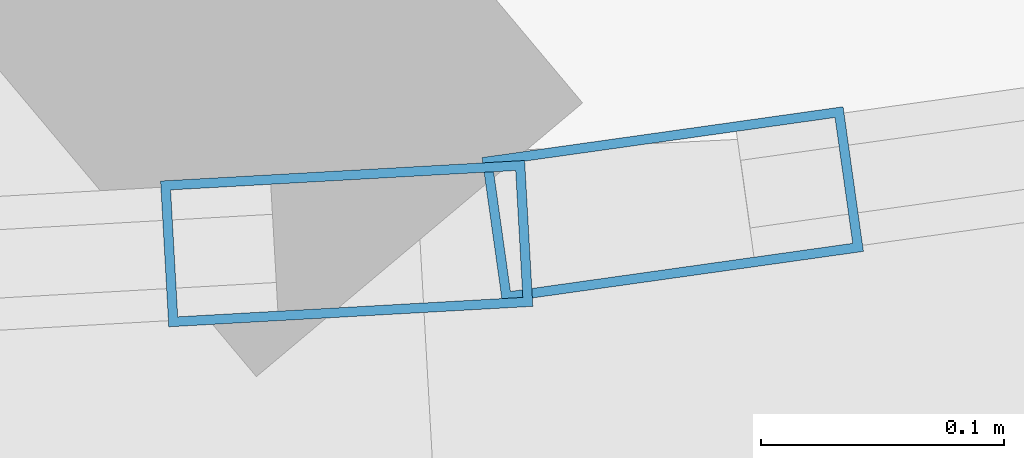
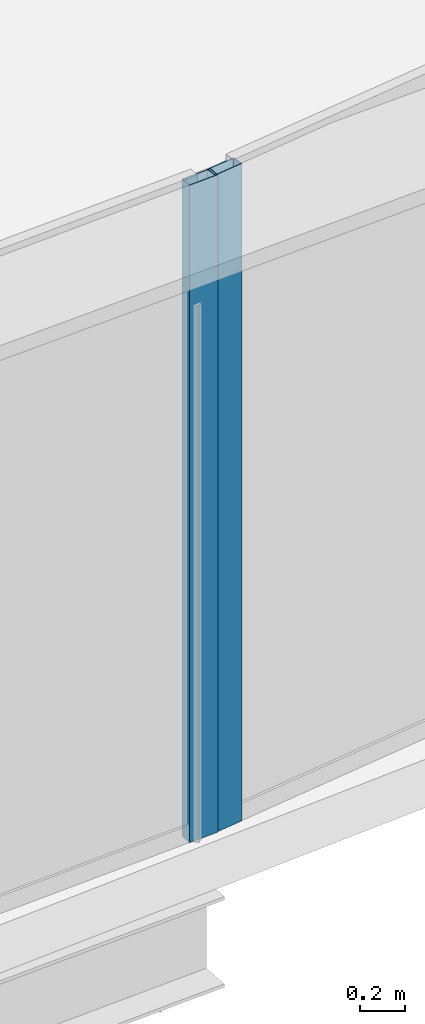
# One storey, part 14 of 40: 2 members, 2 elements without a shape of their own.
"""IFC4 building model written with IfcOpenShell, lengths in metres."""

from ifc_helpers import new_model, si_unit, direction, frame, origin, origin_2d, place, context, subcontext, project, spatial, hollow_rectangle, extrude, source, transform, mapped, material, layer, layer_set, material_profile, profile_set, type_object, element, aggregate, save


model = new_model("IFC4")

# Units and contexts
model_context = context("Model", 3, precision=1e-05, world=origin(), true_north=direction((0.0, 1.0)))
body_context = subcontext(model_context, "Body", "Model", "MODEL_VIEW")
ifc_project = project(units=[si_unit("LENGTHUNIT", "METRE"), si_unit("AREAUNIT", "SQUARE_METRE"), si_unit("VOLUMEUNIT", "CUBIC_METRE"), si_unit("PLANEANGLEUNIT", "RADIAN"), si_unit("MASSUNIT", "GRAM", prefix="KILO"), si_unit("THERMODYNAMICTEMPERATUREUNIT", "KELVIN"), si_unit("POWERUNIT", "WATT")], contexts=[model_context])

# Site, building, storey
site_placement = place(None, origin())
site = spatial("IfcSite", under=ifc_project, at=site_placement, CompositionType="ELEMENT")
building_placement = place(site_placement, origin())
building = spatial("IfcBuilding", under=site, at=building_placement, Name="Yunzhuo Pagoda Commons", CompositionType="ELEMENT")
storey_placement = place(building_placement, frame((0.0, 0.0, 184.760009765625)))
storey = spatial("IfcBuildingStorey", under=building, at=storey_placement, Name="L46", CompositionType="ELEMENT", Elevation=184.760009765625)

# Curtain wall, member
ifc_material = material(Name="Anodized aluminium 6063-T6", Category="aluminium")
ifc_layer = layer(ifc_material, 0.14990234375)
ifc_layer_set = layer_set([ifc_layer], Name="Anodized aluminium 6063-T6")
curtain_wall_type = type_object("IfcCurtainWallType", Name="CW-MID Mid-Zone Ribbon Curtain Wall", PredefinedType="NOTDEFINED", material=ifc_layer_set)
curtain_wall_1_placement = place(storey_placement, origin())
curtain_wall_1 = element("IfcCurtainWall", 1, at=curtain_wall_1_placement, inside=storey, type_object=curtain_wall_type, Name="L46 curtain wall CW-L46-F1B4", PredefinedType="NOTDEFINED")
ifc_material_profile = material_profile(ifc_material, hollow_rectangle(XDim=0.06005859375, YDim=0.14990234375, WallThickness=0.00390625, at=origin_2d()), Name="Anodized aluminium 6063-T6")
ifc_profile_set = profile_set([ifc_material_profile], Name="Anodized aluminium 6063-T6")
member_type = type_object("IfcMemberType", Name="CW-MID-M Mullion RHS 150x60x4", PredefinedType="MULLION", material=ifc_profile_set)
shared_shape = source(origin(), body_context, "Body", "SweptSolid", [
    extrude(hollow_rectangle(XDim=0.06005859375, YDim=0.14990234375, WallThickness=0.00390625, at=origin_2d()), origin(), (0.0, 0.0, 1.0), 3.5400390625),
])
member_1_placement = place(storey_placement, frame((64.017333984375, 14.573974609375, 0.0), z_axis=(0.0, 0.0, 1.0), x_axis=(-0.056142665584, 0.998422756702, 0.0)))
member_1 = element("IfcMember", 2, at=member_1_placement, type_object=member_type, Name="CW mullion 2", PredefinedType="MULLION", context=body_context, shape_type="MappedRepresentation", body=[
    mapped(shared_shape, transform((0.0, 0.0, 0.0), scale=1.0)),
])
aggregate(curtain_wall_1, [member_1])

curtain_wall_2_placement = place(storey_placement, origin())
curtain_wall_2 = element("IfcCurtainWall", 3, at=curtain_wall_2_placement, inside=storey, type_object=curtain_wall_type, Name="L46 curtain wall CW-L46-F1B5", PredefinedType="NOTDEFINED")
member_2_placement = place(storey_placement, frame((64.1513671875, 14.590087890625, 0.0), z_axis=(0.0, 0.0, 1.0), x_axis=(-0.139233100351, 0.990259634524, 0.0)))
member_2 = element("IfcMember", 4, at=member_2_placement, type_object=member_type, Name="CW mullion 1", PredefinedType="MULLION", context=body_context, shape_type="MappedRepresentation", body=[
    mapped(shared_shape, transform((0.0, 0.0, 0.0), scale=1.0)),
])
aggregate(curtain_wall_2, [member_2])

save(model, "model.ifc")
